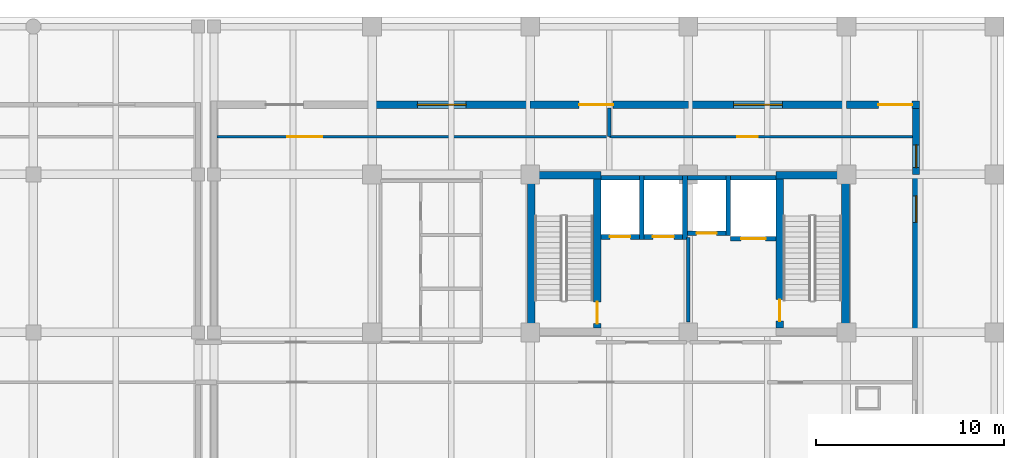
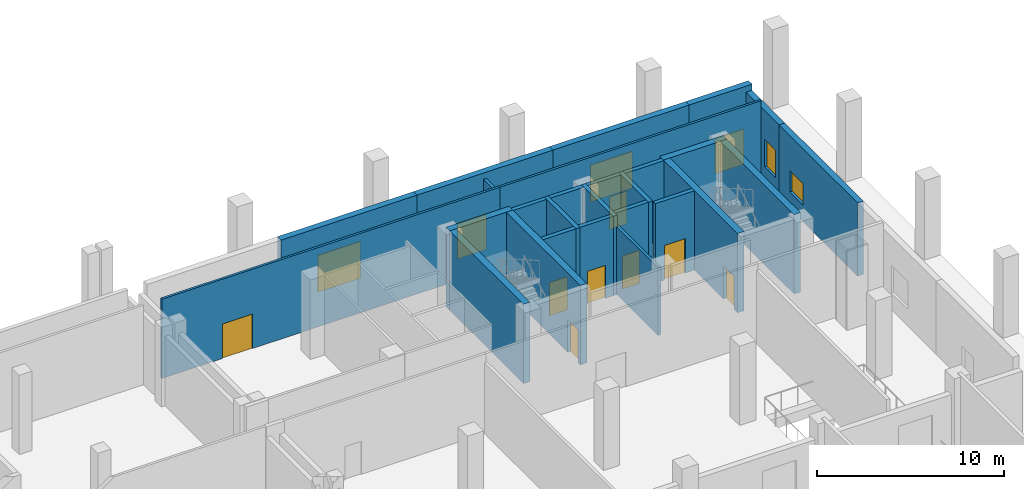
# One storey, part 25 of 34: 27 walls, 10 doors, 4 windows, 14 openings.
"""IFC4 building model written with IfcOpenShell, lengths in metres."""

from ifc_helpers import new_model, si_unit, direction, frame, frame_2d, origin, place, context, subcontext, project, spatial, rectangle, extrude, material, layer, layer_set, type_object, element, fill, save


model = new_model("IFC4")

# Units and contexts
model_context = context("Model", 3, precision=1e-05, world=origin(), true_north=direction((0.0, 1.0)))
body_context = subcontext(model_context, "Body", "Model", "MODEL_VIEW")
ifc_project = project(units=[si_unit("LENGTHUNIT", "METRE"), si_unit("AREAUNIT", "SQUARE_METRE"), si_unit("VOLUMEUNIT", "CUBIC_METRE"), si_unit("PLANEANGLEUNIT", "RADIAN"), si_unit("MASSUNIT", "GRAM", prefix="KILO")], contexts=[model_context])

# Site, building, storey
site_placement = place(None, origin())
site = spatial("IfcSite", under=ifc_project, at=site_placement, CompositionType="ELEMENT")
building_placement = place(site_placement, origin())
building = spatial("IfcBuilding", under=site, at=building_placement, Name="Brinegate Botanical Conservatory", CompositionType="ELEMENT")
storey_placement = place(building_placement, origin())
storey = spatial("IfcBuildingStorey", under=building, at=storey_placement, Name="L01", CompositionType="ELEMENT", Elevation=0.0)

# Wall, opening, window
ifc_material_1 = material(Name="Insulated Minnan red clay brick masonry", Category="masonry")
ifc_layer_1 = layer(ifc_material_1, 0.360107421875, Name="Insulated Minnan red clay brick masonry", Category="masonry")
ifc_layer_set_1 = layer_set([ifc_layer_1], Name="Insulated Minnan red clay brick masonry")
wall_type_1 = type_object("IfcWallType", Name="Wall_EW-360B", PredefinedType="STANDARD", material=ifc_layer_set_1)
wall_1_placement = place(storey_placement, frame((159.300048828125, 103.60009765625, 0.0), z_axis=(0.0, 0.0, 1.0), x_axis=(0.0, -1.0, 0.0)))
wall_1 = element("IfcWall", 1, at=wall_1_placement, inside=storey, type_object=wall_type_1, Name="Tower east brick wall L01.3", PredefinedType="STANDARD", context=body_context, shape_type="SweptSolid", body=[
    extrude(rectangle(XDim=8.400146484375, YDim=0.360107421875, at=frame_2d((4.2001953125, 0.0))), origin(), (0.0, 0.0, 1.0), 4.780029296875),
])
opening_1_placement = place(wall_1_placement, frame((1.14990234375, 0.0, 1.10009765625)))
opening_1 = element("IfcOpeningElement", 2, at=opening_1_placement, cuts=wall_1, Name="Opening WN-16", PredefinedType="OPENING", context=body_context, shape_type="SweptSolid", body=[
    extrude(rectangle(XDim=1.39990234375, YDim=1.39990234375, at=frame_2d((0.699951171875, 0.699951171875))), frame((0.0, 0.18994140625, 0.0), z_axis=(0.0, -1.0, 0.0), x_axis=(1.0, 0.0, 0.0)), (0.0, 0.0, 1.0), 0.380126953125),
])
ifc_material_2 = material(Name="Thermally broken aluminium-framed Low-E glass", Category="aluminium")
window_type_1 = type_object("IfcWindowType", Name="Win_WN-16", PartitioningType="SINGLE_PANEL", PredefinedType="WINDOW", material=ifc_material_2)
window_1_placement = place(opening_1_placement, origin())
window_1 = element("IfcWindow", 3, at=window_1_placement, inside=storey, type_object=window_type_1, Name="Tower east window L01.3", OverallHeight=1.39990234375, OverallWidth=1.39990234375, PartitioningType="SINGLE_PANEL", PredefinedType="WINDOW", context=body_context, shape_type="SweptSolid", body=[
    extrude(rectangle(XDim=1.39990234375, YDim=1.39990234375, at=frame_2d((0.699951171875, 0.699951171875))), frame((0.0, 0.030029296875, 0.0), z_axis=(0.0, -1.0, 0.0), x_axis=(1.0, 0.0, 0.0)), (0.0, 0.0, 1.0), 0.06005859375),
])
fill(opening_1, window_1)

wall_2_placement = place(storey_placement, frame((159.300048828125, 107.110107421875, 0.0), z_axis=(0.0, 0.0, 1.0), x_axis=(0.0, -1.0, 0.0)))
wall_2 = element("IfcWall", 4, at=wall_2_placement, inside=storey, type_object=wall_type_1, Name="Tower east brick wall L01.4", PredefinedType="STANDARD", context=body_context, shape_type="SweptSolid", body=[
    extrude(rectangle(XDim=3.510009765625, YDim=0.360107421875, at=frame_2d((1.7548828125, 0.0))), origin(), (0.0, 0.0, 1.0), 4.780029296875),
])
opening_2_placement = place(wall_2_placement, frame((1.949951171875, 0.0, 1.10009765625)))
opening_2 = element("IfcOpeningElement", 5, at=opening_2_placement, cuts=wall_2, Name="Opening WN-06", PredefinedType="OPENING", context=body_context, shape_type="SweptSolid", body=[
    extrude(rectangle(XDim=1.199951171875, YDim=1.800048828125, at=frame_2d((0.60009765625, 0.89990234375))), frame((0.0, 0.18994140625, 0.0), z_axis=(0.0, -1.0, 0.0), x_axis=(1.0, 0.0, 0.0)), (0.0, 0.0, 1.0), 0.380126953125),
])
window_type_2 = type_object("IfcWindowType", Name="Win_WN-06", PartitioningType="SINGLE_PANEL", PredefinedType="WINDOW", material=ifc_material_2)
window_2_placement = place(opening_2_placement, origin())
window_2 = element("IfcWindow", 6, at=window_2_placement, inside=storey, type_object=window_type_2, Name="Tower east window L01.4", OverallHeight=1.800048828125, OverallWidth=1.199951171875, PartitioningType="SINGLE_PANEL", PredefinedType="WINDOW", context=body_context, shape_type="SweptSolid", body=[
    extrude(rectangle(XDim=1.199951171875, YDim=1.800048828125, at=frame_2d((0.60009765625, 0.89990234375))), frame((0.0, 0.030029296875, 0.0), z_axis=(0.0, -1.0, 0.0), x_axis=(1.0, 0.0, 0.0)), (0.0, 0.0, 1.0), 0.06005859375),
])
fill(opening_2, window_2)

ifc_material_3 = material(Name="Fujian grey granite ashlar masonry", Category="masonry")
ifc_layer_2 = layer(ifc_material_3, 0.3798828125, Name="Fujian grey granite ashlar masonry", Category="masonry")
ifc_layer_set_2 = layer_set([ifc_layer_2], Name="Fujian grey granite ashlar masonry")
wall_type_2 = type_object("IfcWallType", Name="Wall_EW-380G", PredefinedType="SOLIDWALL", material=ifc_layer_set_2)
wall_3_placement = place(storey_placement, frame((130.39990234375, 107.300048828125, 0.0), z_axis=(0.0, 0.0, 1.0), x_axis=(1.0, 0.0, 0.0)))
wall_3 = element("IfcWall", 7, at=wall_3_placement, inside=storey, type_object=wall_type_2, Name="Tower ground north qilou wall 2", PredefinedType="SOLIDWALL", context=body_context, shape_type="SweptSolid", body=[
    extrude(rectangle(XDim=8.400146484375, YDim=0.3798828125, at=frame_2d((4.2001953125, 0.0))), origin(), (0.0, 0.0, 1.0), 5.179931640625),
])
opening_3_placement = place(wall_3_placement, frame((2.39990234375, 0.0, 0.85009765625)))
opening_3 = element("IfcOpeningElement", 8, at=opening_3_placement, cuts=wall_3, Name="Opening WN-14", PredefinedType="OPENING", context=body_context, shape_type="SweptSolid", body=[
    extrude(rectangle(XDim=2.60009765625, YDim=2.39990234375, at=frame_2d((1.300048828125, 1.199951171875))), frame((0.0, 0.199951171875, 0.0), z_axis=(0.0, -1.0, 0.0), x_axis=(1.0, 0.0, 0.0)), (0.0, 0.0, 1.0), 0.39990234375),
])
window_type_3 = type_object("IfcWindowType", Name="Win_WN-14", PartitioningType="TRIPLE_PANEL_VERTICAL", PredefinedType="WINDOW", material=ifc_material_2)
window_3_placement = place(opening_3_placement, origin())
window_3 = element("IfcWindow", 9, at=window_3_placement, inside=storey, type_object=window_type_3, Name="Tower north qilou window 2", OverallHeight=2.39990234375, OverallWidth=2.60009765625, PartitioningType="TRIPLE_PANEL_VERTICAL", PredefinedType="WINDOW", context=body_context, shape_type="SweptSolid", body=[
    extrude(rectangle(XDim=2.60009765625, YDim=2.39990234375, at=frame_2d((1.300048828125, 1.199951171875))), frame((0.0, 0.030029296875, 0.0), z_axis=(0.0, -1.0, 0.0), x_axis=(1.0, 0.0, 0.0)), (0.0, 0.0, 1.0), 0.06005859375),
])
fill(opening_3, window_3)

# Wall, opening, door
wall_4_placement = place(storey_placement, frame((138.800048828125, 107.300048828125, 0.0), z_axis=(0.0, 0.0, 1.0), x_axis=(1.0, 0.0, 0.0)))
wall_4 = element("IfcWall", 10, at=wall_4_placement, inside=storey, type_object=wall_type_2, Name="Tower ground north qilou wall 3", PredefinedType="SOLIDWALL", context=body_context, shape_type="SweptSolid", body=[
    extrude(rectangle(XDim=8.39990234375, YDim=0.3798828125, at=frame_2d((4.199951171875, 0.0))), origin(), (0.0, 0.0, 1.0), 5.179931640625),
])
opening_4_placement = place(wall_4_placement, frame((2.60009765625, 0.0, 0.0)))
opening_4 = element("IfcOpeningElement", 11, at=opening_4_placement, cuts=wall_4, Name="Opening EX-02", PredefinedType="OPENING", context=body_context, shape_type="SweptSolid", body=[
    extrude(rectangle(XDim=1.800048828125, YDim=2.300048828125, at=frame_2d((0.89990234375, 1.14990234375))), frame((0.0, 0.199951171875, 0.0), z_axis=(0.0, -1.0, 0.0), x_axis=(1.0, 0.0, 0.0)), (0.0, 0.0, 1.0), 0.39990234375),
])
ifc_material_4 = material(Name="Anodised aluminium and laminated safety glass", Category="aluminium")
door_type_1 = type_object("IfcDoorType", Name="Door_EX-02", OperationType="NOTDEFINED", PredefinedType="DOOR", material=ifc_material_4)
door_1_placement = place(opening_4_placement, origin())
door_1 = element("IfcDoor", 12, at=door_1_placement, inside=storey, type_object=door_type_1, Name="DR-V4-L01-N3", OperationType="SINGLE_SWING_LEFT", OverallHeight=2.300048828125, OverallWidth=1.800048828125, PredefinedType="DOOR", context=body_context, shape_type="SweptSolid", body=[
    extrude(rectangle(XDim=1.800048828125, YDim=2.300048828125, at=frame_2d((0.89990234375, 1.14990234375))), frame((0.0, 0.02490234375, 0.0), z_axis=(0.0, -1.0, 0.0), x_axis=(1.0, 0.0, 0.0)), (0.0, 0.0, 1.0), 0.050048828125),
])
fill(opening_4, door_1)

# Wall, opening, window
wall_5_placement = place(storey_placement, frame((147.199951171875, 107.300048828125, 0.0), z_axis=(0.0, 0.0, 1.0), x_axis=(1.0, 0.0, 0.0)))
wall_5 = element("IfcWall", 13, at=wall_5_placement, inside=storey, type_object=wall_type_2, Name="Tower ground north qilou wall 4", PredefinedType="SOLIDWALL", context=body_context, shape_type="SweptSolid", body=[
    extrude(rectangle(XDim=8.400146484375, YDim=0.3798828125, at=frame_2d((4.2001953125, 0.0))), origin(), (0.0, 0.0, 1.0), 5.179931640625),
])
opening_5_placement = place(wall_5_placement, frame((2.39990234375, 0.0, 0.85009765625)))
opening_5 = element("IfcOpeningElement", 14, at=opening_5_placement, cuts=wall_5, Name="Opening WN-14", PredefinedType="OPENING", context=body_context, shape_type="SweptSolid", body=[
    extrude(rectangle(XDim=2.60009765625, YDim=2.39990234375, at=frame_2d((1.300048828125, 1.199951171875))), frame((0.0, 0.199951171875, 0.0), z_axis=(0.0, -1.0, 0.0), x_axis=(1.0, 0.0, 0.0)), (0.0, 0.0, 1.0), 0.39990234375),
])
window_4_placement = place(opening_5_placement, origin())
window_4 = element("IfcWindow", 15, at=window_4_placement, inside=storey, type_object=window_type_3, Name="Tower north qilou window 4", OverallHeight=2.39990234375, OverallWidth=2.60009765625, PartitioningType="TRIPLE_PANEL_VERTICAL", PredefinedType="WINDOW", context=body_context, shape_type="SweptSolid", body=[
    extrude(rectangle(XDim=2.60009765625, YDim=2.39990234375, at=frame_2d((1.300048828125, 1.199951171875))), frame((0.0, 0.030029296875, 0.0), z_axis=(0.0, -1.0, 0.0), x_axis=(1.0, 0.0, 0.0)), (0.0, 0.0, 1.0), 0.06005859375),
])
fill(opening_5, window_4)

# Wall, opening, door
wall_6_placement = place(storey_placement, frame((155.60009765625, 107.300048828125, 0.0), z_axis=(0.0, 0.0, 1.0), x_axis=(1.0, 0.0, 0.0)))
wall_6 = element("IfcWall", 16, at=wall_6_placement, inside=storey, type_object=wall_type_2, Name="Tower ground north qilou wall 5", PredefinedType="SOLIDWALL", context=body_context, shape_type="SweptSolid", body=[
    extrude(rectangle(XDim=3.889892578125, YDim=0.3798828125, at=frame_2d((1.94482421875, 0.0))), origin(), (0.0, 0.0, 1.0), 5.179931640625),
])
opening_6_placement = place(wall_6_placement, frame((1.68994140625, 0.0, 0.0)))
opening_6 = element("IfcOpeningElement", 17, at=opening_6_placement, cuts=wall_6, Name="Opening EX-02", PredefinedType="OPENING", context=body_context, shape_type="SweptSolid", body=[
    extrude(rectangle(XDim=1.800048828125, YDim=2.300048828125, at=frame_2d((0.89990234375, 1.14990234375))), frame((0.0, 0.199951171875, 0.0), z_axis=(0.0, -1.0, 0.0), x_axis=(1.0, 0.0, 0.0)), (0.0, 0.0, 1.0), 0.39990234375),
])
door_2_placement = place(opening_6_placement, origin())
door_2 = element("IfcDoor", 18, at=door_2_placement, inside=storey, type_object=door_type_1, Name="DR-V4-L01-N5", OperationType="SINGLE_SWING_LEFT", OverallHeight=2.300048828125, OverallWidth=1.800048828125, PredefinedType="DOOR", context=body_context, shape_type="SweptSolid", body=[
    extrude(rectangle(XDim=1.800048828125, YDim=2.300048828125, at=frame_2d((0.89990234375, 1.14990234375))), frame((0.0, 0.02490234375, 0.0), z_axis=(0.0, -1.0, 0.0), x_axis=(1.0, 0.0, 0.0)), (0.0, 0.0, 1.0), 0.050048828125),
])
fill(opening_6, door_2)

ifc_material_5 = material(Name="Gypsum-clad acoustic steel-stud partition", Category="steel")
ifc_layer_3 = layer(ifc_material_5, 0.14501953125, Name="Gypsum-clad acoustic steel-stud partition", Category="steel")
ifc_layer_set_3 = layer_set([ifc_layer_3], Name="Gypsum-clad acoustic steel-stud partition")
wall_type_3 = type_object("IfcWallType", Name="Wall_PW-150", PredefinedType="PARTITIONING", material=ifc_layer_set_3)
wall_7_placement = place(storey_placement, frame((122.14990234375, 105.60009765625, 0.0), z_axis=(0.0, 0.0, 1.0), x_axis=(1.0, 0.0, 0.0)))
wall_7 = element("IfcWall", 19, at=wall_7_placement, inside=storey, type_object=wall_type_3, Name="Interior partition P-L01-NB-N1", PredefinedType="PARTITIONING", context=body_context, shape_type="SweptSolid", body=[
    extrude(rectangle(XDim=20.85009765625, YDim=0.14501953125, at=frame_2d((10.425048828125, 0.0))), origin(), (0.0, 0.0, 1.0), 5.179931640625),
])
opening_7_placement = place(wall_7_placement, frame((3.75, 0.0, 0.0)))
opening_7 = element("IfcOpeningElement", 20, at=opening_7_placement, cuts=wall_7, Name="Opening DR-DBL1", PredefinedType="OPENING", context=body_context, shape_type="SweptSolid", body=[
    extrude(rectangle(XDim=1.85009765625, YDim=2.25, at=frame_2d((0.925048828125, 1.125))), frame((0.0, 0.08251953125, 0.0), z_axis=(0.0, -1.0, 0.0), x_axis=(1.0, 0.0, 0.0)), (0.0, 0.0, 1.0), 0.1650390625),
])
ifc_material_6 = material(Name="Anodised aluminium and safety glass", Category="aluminium")
door_type_2 = type_object("IfcDoorType", Name="Door_DR-DBL1", OperationType="NOTDEFINED", PredefinedType="DOOR", material=ifc_material_6)
door_3_placement = place(opening_7_placement, origin())
door_3 = element("IfcDoor", 21, at=door_3_placement, inside=storey, type_object=door_type_2, Name="DR-P-L01-NB-N1-1", OperationType="SINGLE_SWING_LEFT", OverallHeight=2.25, OverallWidth=1.85009765625, PredefinedType="DOOR", context=body_context, shape_type="SweptSolid", body=[
    extrude(rectangle(XDim=1.85009765625, YDim=2.25, at=frame_2d((0.925048828125, 1.125))), frame((0.0, 0.02490234375, 0.0), z_axis=(0.0, -1.0, 0.0), x_axis=(1.0, 0.0, 0.0)), (0.0, 0.0, 1.0), 0.050048828125),
])
fill(opening_7, door_3)

wall_8_placement = place(storey_placement, frame((143.0, 105.60009765625, 0.0), z_axis=(0.0, 0.0, 1.0), x_axis=(1.0, 0.0, 0.0)))
wall_8 = element("IfcWall", 22, at=wall_8_placement, inside=storey, type_object=wall_type_3, Name="Interior partition P-L01-NB-N2", PredefinedType="PARTITIONING", context=body_context, shape_type="SweptSolid", body=[
    extrude(rectangle(XDim=16.1201171875, YDim=0.14501953125, at=frame_2d((8.06005859375, 0.0))), origin(), (0.0, 0.0, 1.0), 5.179931640625),
])
opening_8_placement = place(wall_8_placement, frame((6.800048828125, 0.0, 0.0)))
opening_8 = element("IfcOpeningElement", 23, at=opening_8_placement, cuts=wall_8, Name="Opening DR-01", PredefinedType="OPENING", context=body_context, shape_type="SweptSolid", body=[
    extrude(rectangle(XDim=1.080078125, YDim=2.14990234375, at=frame_2d((0.5400390625, 1.074951171875))), frame((0.0, 0.08251953125, 0.0), z_axis=(0.0, -1.0, 0.0), x_axis=(1.0, 0.0, 0.0)), (0.0, 0.0, 1.0), 0.1650390625),
])
ifc_material_7 = material(Name="Hardwood timber acoustic leaf", Category="wood")
door_type_3 = type_object("IfcDoorType", Name="Door_DR-01", OperationType="NOTDEFINED", PredefinedType="DOOR", material=ifc_material_7)
door_4_placement = place(opening_8_placement, origin())
door_4 = element("IfcDoor", 24, at=door_4_placement, inside=storey, type_object=door_type_3, Name="DR-P-L01-NB-N2-1", OperationType="SINGLE_SWING_RIGHT", OverallHeight=2.14990234375, OverallWidth=1.080078125, PredefinedType="DOOR", context=body_context, shape_type="SweptSolid", body=[
    extrude(rectangle(XDim=1.080078125, YDim=2.14990234375, at=frame_2d((0.5400390625, 1.074951171875))), frame((0.0, 0.02490234375, 0.0), z_axis=(0.0, -1.0, 0.0), x_axis=(1.0, 0.0, 0.0)), (0.0, 0.0, 1.0), 0.050048828125),
])
fill(opening_8, door_4)

# Walls
ifc_material_8 = material(Name="Gypsum-clad double-stud acoustic partition", Category="gypsum")
ifc_layer_4 = layer(ifc_material_8, 0.172119140625, Name="Gypsum-clad double-stud acoustic partition", Category="gypsum")
ifc_layer_set_4 = layer_set([ifc_layer_4], Name="Gypsum-clad double-stud acoustic partition")
wall_type_4 = type_object("IfcWallType", Name="Wall_PW-172", PredefinedType="PARTITIONING", material=ifc_layer_set_4)
wall_9_placement = place(storey_placement, frame((143.0, 105.60009765625, 0.0), z_axis=(0.0, 0.0, 1.0), x_axis=(0.0, 1.0, 0.0)))
element("IfcWall", 25, at=wall_9_placement, inside=storey, type_object=wall_type_4, Name="Interior partition P-L01-NDIV-N2", PredefinedType="PARTITIONING", context=body_context, shape_type="SweptSolid", body=[
    extrude(rectangle(XDim=1.52001953125, YDim=0.172119140625, at=frame_2d((0.760009765625, 0.0))), origin(), (0.0, 0.0, 1.0), 4.780029296875),
])
ifc_material_9 = material(Name="Autoclaved aerated concrete C40/50 blockwork", Category="masonry")
ifc_layer_5 = layer(ifc_material_9, 0.179931640625, Name="Autoclaved aerated concrete C40/50 blockwork", Category="masonry")
ifc_layer_set_5 = layer_set([ifc_layer_5], Name="Autoclaved aerated concrete C40/50 blockwork")
wall_type_5 = type_object("IfcWallType", Name="Wall_PW-180F", PredefinedType="STANDARD", material=ifc_layer_set_5)
wall_10_placement = place(storey_placement, frame((147.199951171875, 95.75, 0.0), z_axis=(0.0, 0.0, 1.0), x_axis=(0.0, 1.0, 0.0)))
element("IfcWall", 26, at=wall_10_placement, inside=storey, type_object=wall_type_5, Name="Interior partition P-L01-CORE-DIV", PredefinedType="STANDARD", context=body_context, shape_type="SweptSolid", body=[
    extrude(rectangle(XDim=4.5, YDim=0.179931640625, at=frame_2d((2.25, 0.0))), origin(), (0.0, 0.0, 1.0), 4.429931640625),
])

# Wall, opening, door
ifc_material_10 = material(Name="Concrete C40/50", Category="concrete")
ifc_layer_6 = layer(ifc_material_10, 0.25, Name="Concrete C40/50", Category="concrete")
ifc_layer_set_6 = layer_set([ifc_layer_6], Name="Concrete C40/50")
wall_type_6 = type_object("IfcWallType", Name="Wall_SW-250", PredefinedType="SHEAR", material=ifc_layer_set_6)
wall_11_placement = place(storey_placement, frame((142.550048828125, 100.27490234375, 0.0), z_axis=(0.0, 0.0, 1.0), x_axis=(1.0, 0.0, 0.0)))
wall_11 = element("IfcWall", 27, at=wall_11_placement, inside=storey, type_object=wall_type_6, Name="Lift shaft LF1 shear wall L01 S", PredefinedType="SHEAR", context=body_context, shape_type="SweptSolid", body=[
    extrude(rectangle(XDim=2.050048828125, YDim=0.25, at=frame_2d((1.02490234375, 0.0))), origin(), (0.0, 0.0, 1.0), 5.179931640625),
])
opening_9_placement = place(wall_11_placement, frame((0.47509765625, 0.0, 0.0)))
opening_9 = element("IfcOpeningElement", 28, at=opening_9_placement, cuts=wall_11, Name="Opening LD-01", PredefinedType="OPENING", context=body_context, shape_type="SweptSolid", body=[
    extrude(rectangle(XDim=1.10009765625, YDim=2.14990234375, at=frame_2d((0.550048828125, 1.074951171875))), frame((0.0, 0.135009765625, 0.0), z_axis=(0.0, -1.0, 0.0), x_axis=(1.0, 0.0, 0.0)), (0.0, 0.0, 1.0), 0.27001953125),
])
ifc_material_11 = material(Name="Brushed stainless steel S355 landing door", Category="steel")
door_type_4 = type_object("IfcDoorType", Name="Door_LD-01", OperationType="SLIDING_TO_LEFT", PredefinedType="DOOR", material=ifc_material_11)
door_5_placement = place(opening_9_placement, origin())
door_5 = element("IfcDoor", 29, at=door_5_placement, inside=storey, type_object=door_type_4, Name="LD-LF1-L01", OperationType="SLIDING_TO_LEFT", OverallHeight=2.14990234375, OverallWidth=1.10009765625, PredefinedType="DOOR", context=body_context, shape_type="SweptSolid", body=[
    extrude(rectangle(XDim=1.10009765625, YDim=2.14990234375, at=frame_2d((0.550048828125, 1.074951171875))), frame((0.0, 0.02490234375, 0.0), z_axis=(0.0, -1.0, 0.0), x_axis=(1.0, 0.0, 0.0)), (0.0, 0.0, 1.0), 0.050048828125),
])
fill(opening_9, door_5)

# Walls
wall_12_placement = place(storey_placement, frame((142.550048828125, 103.425048828125, 0.0), z_axis=(0.0, 0.0, 1.0), x_axis=(1.0, 0.0, 0.0)))
element("IfcWall", 30, at=wall_12_placement, inside=storey, type_object=wall_type_6, Name="Lift shaft LF1 shear wall L01 N", PredefinedType="SHEAR", context=body_context, shape_type="SweptSolid", body=[
    extrude(rectangle(XDim=2.050048828125, YDim=0.25, at=frame_2d((1.02490234375, 0.0))), origin(), (0.0, 0.0, 1.0), 5.179931640625),
])
wall_13_placement = place(storey_placement, frame((144.72509765625, 100.14990234375, 0.0), z_axis=(0.0, 0.0, 1.0), x_axis=(0.0, 1.0, 0.0)))
element("IfcWall", 31, at=wall_13_placement, inside=storey, type_object=wall_type_6, Name="Lift shaft LF1 shear wall L01 E", PredefinedType="SHEAR", context=body_context, shape_type="SweptSolid", body=[
    extrude(rectangle(XDim=3.400146484375, YDim=0.25, at=frame_2d((1.7001953125, 0.0))), origin(), (0.0, 0.0, 1.0), 5.179931640625),
])

# Wall, opening, door
wall_14_placement = place(storey_placement, frame((144.85009765625, 100.27490234375, 0.0), z_axis=(0.0, 0.0, 1.0), x_axis=(1.0, 0.0, 0.0)))
wall_14 = element("IfcWall", 32, at=wall_14_placement, inside=storey, type_object=wall_type_6, Name="Lift shaft LF2 shear wall L01 S", PredefinedType="SHEAR", context=body_context, shape_type="SweptSolid", body=[
    extrude(rectangle(XDim=2.0498046875, YDim=0.25, at=frame_2d((1.02490234375, 0.0))), origin(), (0.0, 0.0, 1.0), 5.179931640625),
])
opening_10_placement = place(wall_14_placement, frame((0.465087890625, 0.0, 0.0)))
opening_10 = element("IfcOpeningElement", 33, at=opening_10_placement, cuts=wall_14, Name="Opening LD-02", PredefinedType="OPENING", context=body_context, shape_type="SweptSolid", body=[
    extrude(rectangle(XDim=1.1201171875, YDim=2.14990234375, at=frame_2d((0.56005859375, 1.074951171875))), frame((0.0, 0.135009765625, 0.0), z_axis=(0.0, -1.0, 0.0), x_axis=(1.0, 0.0, 0.0)), (0.0, 0.0, 1.0), 0.27001953125),
])
door_type_5 = type_object("IfcDoorType", Name="Door_LD-02", OperationType="SLIDING_TO_LEFT", PredefinedType="DOOR", material=ifc_material_11)
door_6_placement = place(opening_10_placement, origin())
door_6 = element("IfcDoor", 34, at=door_6_placement, inside=storey, type_object=door_type_5, Name="LD-LF2-L01", OperationType="SLIDING_TO_LEFT", OverallHeight=2.14990234375, OverallWidth=1.1201171875, PredefinedType="DOOR", context=body_context, shape_type="SweptSolid", body=[
    extrude(rectangle(XDim=1.1201171875, YDim=2.14990234375, at=frame_2d((0.56005859375, 1.074951171875))), frame((0.0, 0.02490234375, 0.0), z_axis=(0.0, -1.0, 0.0), x_axis=(1.0, 0.0, 0.0)), (0.0, 0.0, 1.0), 0.050048828125),
])
fill(opening_10, door_6)

# Walls
wall_15_placement = place(storey_placement, frame((144.85009765625, 103.425048828125, 0.0), z_axis=(0.0, 0.0, 1.0), x_axis=(1.0, 0.0, 0.0)))
element("IfcWall", 35, at=wall_15_placement, inside=storey, type_object=wall_type_6, Name="Lift shaft LF2 shear wall L01 N", PredefinedType="SHEAR", context=body_context, shape_type="SweptSolid", body=[
    extrude(rectangle(XDim=2.0498046875, YDim=0.25, at=frame_2d((1.02490234375, 0.0))), origin(), (0.0, 0.0, 1.0), 5.179931640625),
])
wall_16_placement = place(storey_placement, frame((147.02490234375, 100.14990234375, 0.0), z_axis=(0.0, 0.0, 1.0), x_axis=(0.0, 1.0, 0.0)))
element("IfcWall", 36, at=wall_16_placement, inside=storey, type_object=wall_type_6, Name="Lift shaft LF2 shear wall L01 E", PredefinedType="SHEAR", context=body_context, shape_type="SweptSolid", body=[
    extrude(rectangle(XDim=3.400146484375, YDim=0.25, at=frame_2d((1.7001953125, 0.0))), origin(), (0.0, 0.0, 1.0), 5.179931640625),
])

# Wall, opening, door
wall_17_placement = place(storey_placement, frame((147.14990234375, 100.47509765625, 0.0), z_axis=(0.0, 0.0, 1.0), x_axis=(1.0, 0.0, 0.0)))
wall_17 = element("IfcWall", 37, at=wall_17_placement, inside=storey, type_object=wall_type_6, Name="Lift shaft LF3 shear wall L01 S", PredefinedType="SHEAR", context=body_context, shape_type="SweptSolid", body=[
    extrude(rectangle(XDim=2.050048828125, YDim=0.25, at=frame_2d((1.02490234375, 0.0))), origin(), (0.0, 0.0, 1.0), 5.179931640625),
])
opening_11_placement = place(wall_17_placement, frame((0.4951171875, 0.0, 0.0)))
opening_11 = element("IfcOpeningElement", 38, at=opening_11_placement, cuts=wall_17, Name="Opening LD-03", PredefinedType="OPENING", context=body_context, shape_type="SweptSolid", body=[
    extrude(rectangle(XDim=1.06005859375, YDim=2.14990234375, at=frame_2d((0.530029296875, 1.074951171875))), frame((0.0, 0.135009765625, 0.0), z_axis=(0.0, -1.0, 0.0), x_axis=(1.0, 0.0, 0.0)), (0.0, 0.0, 1.0), 0.27001953125),
])
door_type_6 = type_object("IfcDoorType", Name="Door_LD-03", OperationType="SLIDING_TO_LEFT", PredefinedType="DOOR", material=ifc_material_11)
door_7_placement = place(opening_11_placement, origin())
door_7 = element("IfcDoor", 39, at=door_7_placement, inside=storey, type_object=door_type_6, Name="LD-LF3-L01", OperationType="SLIDING_TO_LEFT", OverallHeight=2.14990234375, OverallWidth=1.06005859375, PredefinedType="DOOR", context=body_context, shape_type="SweptSolid", body=[
    extrude(rectangle(XDim=1.06005859375, YDim=2.14990234375, at=frame_2d((0.530029296875, 1.074951171875))), frame((0.0, 0.02490234375, 0.0), z_axis=(0.0, -1.0, 0.0), x_axis=(1.0, 0.0, 0.0)), (0.0, 0.0, 1.0), 0.050048828125),
])
fill(opening_11, door_7)

# Walls
wall_18_placement = place(storey_placement, frame((147.14990234375, 103.425048828125, 0.0), z_axis=(0.0, 0.0, 1.0), x_axis=(1.0, 0.0, 0.0)))
element("IfcWall", 40, at=wall_18_placement, inside=storey, type_object=wall_type_6, Name="Lift shaft LF3 shear wall L01 N", PredefinedType="SHEAR", context=body_context, shape_type="SweptSolid", body=[
    extrude(rectangle(XDim=2.050048828125, YDim=0.25, at=frame_2d((1.02490234375, 0.0))), origin(), (0.0, 0.0, 1.0), 5.179931640625),
])
wall_19_placement = place(storey_placement, frame((149.324951171875, 100.35009765625, 0.0), z_axis=(0.0, 0.0, 1.0), x_axis=(0.0, 1.0, 0.0)))
element("IfcWall", 41, at=wall_19_placement, inside=storey, type_object=wall_type_6, Name="Lift shaft LF3 shear wall L01 E", PredefinedType="SHEAR", context=body_context, shape_type="SweptSolid", body=[
    extrude(rectangle(XDim=3.199951171875, YDim=0.25, at=frame_2d((1.60009765625, 0.0))), origin(), (0.0, 0.0, 1.0), 5.179931640625),
])

# Wall, opening, door
wall_20_placement = place(storey_placement, frame((149.449951171875, 100.175048828125, 0.0), z_axis=(0.0, 0.0, 1.0), x_axis=(1.0, 0.0, 0.0)))
wall_20 = element("IfcWall", 42, at=wall_20_placement, inside=storey, type_object=wall_type_6, Name="Lift shaft LF4 shear wall L01 S", PredefinedType="SHEAR", context=body_context, shape_type="SweptSolid", body=[
    extrude(rectangle(XDim=2.400146484375, YDim=0.25, at=frame_2d((1.2001953125, 0.0))), origin(), (0.0, 0.0, 1.0), 5.179931640625),
])
opening_12_placement = place(wall_20_placement, frame((0.550048828125, 0.0, 0.0)))
opening_12 = element("IfcOpeningElement", 43, at=opening_12_placement, cuts=wall_20, Name="Opening LD-04", PredefinedType="OPENING", context=body_context, shape_type="SweptSolid", body=[
    extrude(rectangle(XDim=1.300048828125, YDim=2.25, at=frame_2d((0.64990234375, 1.125))), frame((0.0, 0.135009765625, 0.0), z_axis=(0.0, -1.0, 0.0), x_axis=(1.0, 0.0, 0.0)), (0.0, 0.0, 1.0), 0.27001953125),
])
door_type_7 = type_object("IfcDoorType", Name="Door_LD-04", OperationType="SLIDING_TO_LEFT", PredefinedType="DOOR", material=ifc_material_11)
door_8_placement = place(opening_12_placement, origin())
door_8 = element("IfcDoor", 44, at=door_8_placement, inside=storey, type_object=door_type_7, Name="LD-LF4-L01", OperationType="SLIDING_TO_LEFT", OverallHeight=2.25, OverallWidth=1.300048828125, PredefinedType="DOOR", context=body_context, shape_type="SweptSolid", body=[
    extrude(rectangle(XDim=1.300048828125, YDim=2.25, at=frame_2d((0.64990234375, 1.125))), frame((0.0, 0.02490234375, 0.0), z_axis=(0.0, -1.0, 0.0), x_axis=(1.0, 0.0, 0.0)), (0.0, 0.0, 1.0), 0.050048828125),
])
fill(opening_12, door_8)

# Walls
wall_21_placement = place(storey_placement, frame((149.449951171875, 103.425048828125, 0.0), z_axis=(0.0, 0.0, 1.0), x_axis=(1.0, 0.0, 0.0)))
element("IfcWall", 45, at=wall_21_placement, inside=storey, type_object=wall_type_6, Name="Lift shaft LF4 shear wall L01 N", PredefinedType="SHEAR", context=body_context, shape_type="SweptSolid", body=[
    extrude(rectangle(XDim=2.400146484375, YDim=0.25, at=frame_2d((1.2001953125, 0.0))), origin(), (0.0, 0.0, 1.0), 5.179931640625),
])
ifc_material_12 = material(Name="Concrete C50/60", Category="concrete")
ifc_layer_7 = layer(ifc_material_12, 0.39990234375, Name="Concrete C50/60", Category="concrete")
ifc_layer_set_7 = layer_set([ifc_layer_7], Name="Concrete C50/60")
wall_type_7 = type_object("IfcWallType", Name="Wall_SW-400", PredefinedType="SHEAR", material=ifc_layer_set_7)
wall_22_placement = place(storey_placement, frame((138.64990234375, 103.550048828125, 0.0), z_axis=(0.0, 0.0, 1.0), x_axis=(1.0, 0.0, 0.0)))
element("IfcWall", 46, at=wall_22_placement, inside=storey, type_object=wall_type_7, Name="Stairwell ST1 shear wall L01 N", PredefinedType="SHEAR", context=body_context, shape_type="SweptSolid", body=[
    extrude(rectangle(XDim=3.900146484375, YDim=0.39990234375, at=frame_2d((1.9501953125, 0.0))), origin(), (0.0, 0.0, 1.0), 5.179931640625),
])
wall_23_placement = place(storey_placement, frame((138.85009765625, 95.449951171875, 0.0), z_axis=(0.0, 0.0, 1.0), x_axis=(0.0, 1.0, 0.0)))
element("IfcWall", 47, at=wall_23_placement, inside=storey, type_object=wall_type_7, Name="Stairwell ST1 shear wall L01 W", PredefinedType="SHEAR", context=body_context, shape_type="SweptSolid", body=[
    extrude(rectangle(XDim=7.900146484375, YDim=0.39990234375, at=frame_2d((3.9501953125, 0.0))), origin(), (0.0, 0.0, 1.0), 5.179931640625),
])

# Wall, opening, door
wall_24_placement = place(storey_placement, frame((142.35009765625, 95.449951171875, 0.0), z_axis=(0.0, 0.0, 1.0), x_axis=(0.0, 1.0, 0.0)))
wall_24 = element("IfcWall", 48, at=wall_24_placement, inside=storey, type_object=wall_type_7, Name="Stairwell ST1 shear wall L01 E", PredefinedType="SHEAR", context=body_context, shape_type="SweptSolid", body=[
    extrude(rectangle(XDim=7.900146484375, YDim=0.39990234375, at=frame_2d((3.9501953125, 0.0))), origin(), (0.0, 0.0, 1.0), 5.179931640625),
])
opening_13_placement = place(wall_24_placement, frame((0.219970703125, 0.0, 0.0)))
opening_13 = element("IfcOpeningElement", 49, at=opening_13_placement, cuts=wall_24, Name="Opening FD-B1", PredefinedType="OPENING", context=body_context, shape_type="SweptSolid", body=[
    extrude(rectangle(XDim=1.14990234375, YDim=2.14990234375, at=frame_2d((0.574951171875, 1.074951171875))), frame((0.0, 0.2099609375, 0.0), z_axis=(0.0, -1.0, 0.0), x_axis=(1.0, 0.0, 0.0)), (0.0, 0.0, 1.0), 0.419921875),
])
ifc_material_13 = material(Name="Steel smoke-proof fire door assembly", Category="steel")
door_type_8 = type_object("IfcDoorType", Name="Door_FD-B1", OperationType="NOTDEFINED", PredefinedType="DOOR", material=ifc_material_13)
door_9_placement = place(opening_13_placement, origin())
door_9 = element("IfcDoor", 50, at=door_9_placement, inside=storey, type_object=door_type_8, Name="DR-ST-ST1-L01", OperationType="SINGLE_SWING_LEFT", OverallHeight=2.14990234375, OverallWidth=1.14990234375, PredefinedType="DOOR", context=body_context, shape_type="SweptSolid", body=[
    extrude(rectangle(XDim=1.14990234375, YDim=2.14990234375, at=frame_2d((0.574951171875, 1.074951171875))), frame((0.0, 0.02490234375, 0.0), z_axis=(0.0, -1.0, 0.0), x_axis=(1.0, 0.0, 0.0)), (0.0, 0.0, 1.0), 0.050048828125),
])
fill(opening_13, door_9)

# Wall
wall_25_placement = place(storey_placement, frame((151.85009765625, 103.550048828125, 0.0), z_axis=(0.0, 0.0, 1.0), x_axis=(1.0, 0.0, 0.0)))
element("IfcWall", 51, at=wall_25_placement, inside=storey, type_object=wall_type_7, Name="Stairwell ST2 shear wall L01 N", PredefinedType="SHEAR", context=body_context, shape_type="SweptSolid", body=[
    extrude(rectangle(XDim=3.89990234375, YDim=0.39990234375, at=frame_2d((1.949951171875, 0.0))), origin(), (0.0, 0.0, 1.0), 5.179931640625),
])

# Wall, opening, door
wall_26_placement = place(storey_placement, frame((152.050048828125, 95.449951171875, 0.0), z_axis=(0.0, 0.0, 1.0), x_axis=(0.0, 1.0, 0.0)))
wall_26 = element("IfcWall", 52, at=wall_26_placement, inside=storey, type_object=wall_type_7, Name="Stairwell ST2 shear wall L01 W", PredefinedType="SHEAR", context=body_context, shape_type="SweptSolid", body=[
    extrude(rectangle(XDim=7.900146484375, YDim=0.39990234375, at=frame_2d((3.9501953125, 0.0))), origin(), (0.0, 0.0, 1.0), 5.179931640625),
])
opening_14_placement = place(wall_26_placement, frame((0.35009765625, 0.0, 0.0)))
opening_14 = element("IfcOpeningElement", 53, at=opening_14_placement, cuts=wall_26, Name="Opening FD-B1", PredefinedType="OPENING", context=body_context, shape_type="SweptSolid", body=[
    extrude(rectangle(XDim=1.14990234375, YDim=2.14990234375, at=frame_2d((0.574951171875, 1.074951171875))), frame((0.0, 0.2099609375, 0.0), z_axis=(0.0, -1.0, 0.0), x_axis=(1.0, 0.0, 0.0)), (0.0, 0.0, 1.0), 0.419921875),
])
door_10_placement = place(opening_14_placement, origin())
door_10 = element("IfcDoor", 54, at=door_10_placement, inside=storey, type_object=door_type_8, Name="DR-ST-ST2-L01", OperationType="SINGLE_SWING_LEFT", OverallHeight=2.14990234375, OverallWidth=1.14990234375, PredefinedType="DOOR", context=body_context, shape_type="SweptSolid", body=[
    extrude(rectangle(XDim=1.14990234375, YDim=2.14990234375, at=frame_2d((0.574951171875, 1.074951171875))), frame((0.0, 0.02490234375, 0.0), z_axis=(0.0, -1.0, 0.0), x_axis=(1.0, 0.0, 0.0)), (0.0, 0.0, 1.0), 0.050048828125),
])
fill(opening_14, door_10)

# Wall
wall_27_placement = place(storey_placement, frame((155.550048828125, 95.449951171875, 0.0), z_axis=(0.0, 0.0, 1.0), x_axis=(0.0, 1.0, 0.0)))
element("IfcWall", 55, at=wall_27_placement, inside=storey, type_object=wall_type_7, Name="Stairwell ST2 shear wall L01 E", PredefinedType="SHEAR", context=body_context, shape_type="SweptSolid", body=[
    extrude(rectangle(XDim=7.900146484375, YDim=0.39990234375, at=frame_2d((3.9501953125, 0.0))), origin(), (0.0, 0.0, 1.0), 5.179931640625),
])

save(model, "model.ifc")
